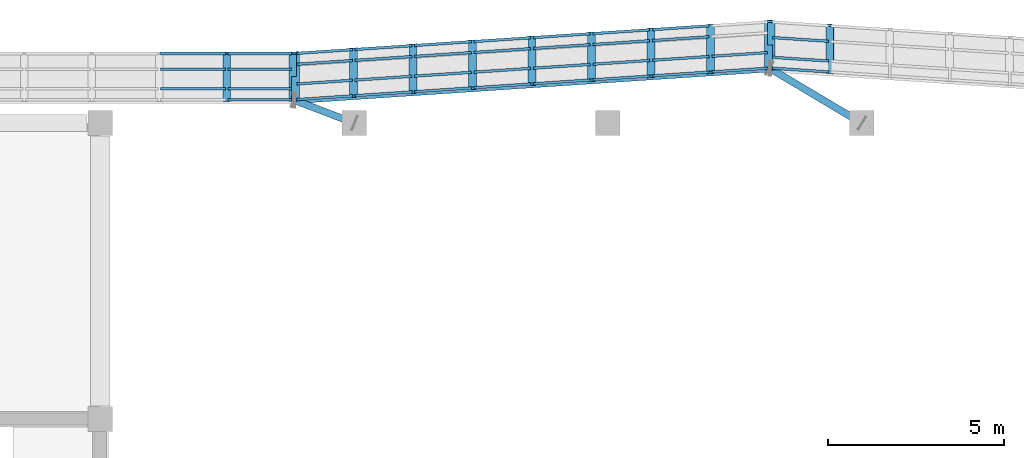
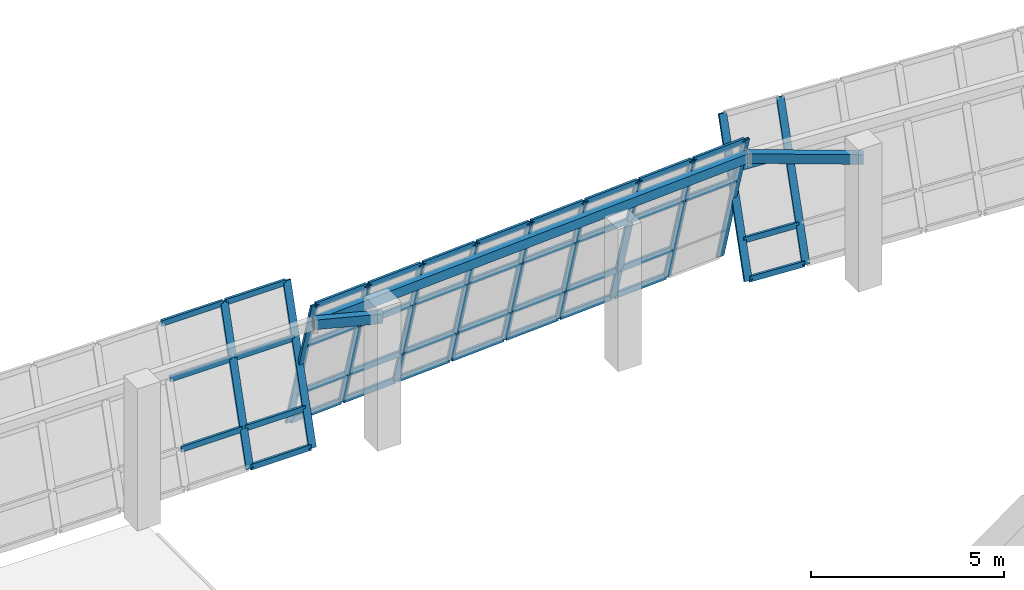
# One storey, part 30 of 67: 53 members, 3 beams, 3 elements without a shape of their own.
"""IFC4 building model written with IfcOpenShell, lengths in metres."""

from ifc_helpers import new_model, si_unit, direction, frame, origin, origin_2d, place, context, subcontext, project, spatial, hollow_rectangle, extrude, material, material_profile, profile_set, type_object, element, aggregate, save


model = new_model("IFC4")

# Units and contexts
model_context = context("Model", 3, precision=1e-05, world=origin(), true_north=direction((0.0, 1.0)))
body_context = subcontext(model_context, "Body", "Model", "MODEL_VIEW")
ifc_project = project(units=[si_unit("LENGTHUNIT", "METRE"), si_unit("AREAUNIT", "SQUARE_METRE"), si_unit("VOLUMEUNIT", "CUBIC_METRE"), si_unit("PLANEANGLEUNIT", "RADIAN"), si_unit("MASSUNIT", "GRAM", prefix="KILO")], contexts=[model_context])

# Site, building, storey
site_placement = place(None, origin())
site = spatial("IfcSite", under=ifc_project, at=site_placement, CompositionType="ELEMENT")
building_placement = place(site_placement, origin())
building = spatial("IfcBuilding", under=site, at=building_placement, Name="Pellamere Symphony Hall", CompositionType="ELEMENT")
storey_placement = place(building_placement, frame((0.0, 0.0, 19.5)))
storey = spatial("IfcBuildingStorey", under=building, at=storey_placement, Name="L04", CompositionType="ELEMENT", Elevation=19.5)

# Curtain wall, members
ifc_material_1 = material(Name="Thermally Broken Anodised Aluminium 6063-T6 Curtain Wall", Category="aluminium")
curtain_wall_type = type_object("IfcCurtainWallType", Name="Curtain Wall CW-01 (Tilted Faceted Crystal Low-Iron Curtain Wall)", PredefinedType="NOTDEFINED", material=ifc_material_1)
curtain_wall_1_placement = place(storey_placement, origin())
curtain_wall_1 = element("IfcCurtainWall", 1, at=curtain_wall_1_placement, inside=storey, type_object=curtain_wall_type, Name="Crystal Faceted Curtain Wall CW-CR12 (L04)", PredefinedType="NOTDEFINED")
ifc_material_2 = material(Name="Anodised Architectural Aluminium 6063-T6", Category="aluminium")
ifc_material_profile_1 = material_profile(ifc_material_2, hollow_rectangle(XDim=0.074951171875, YDim=0.219970703125, WallThickness=0.0048828125, at=origin_2d()), Name="ALU-M75X220X5")
ifc_profile_set_1 = profile_set([ifc_material_profile_1], Name="Anodised Architectural Aluminium 6063-T6")
member_type_1 = type_object("IfcMemberType", Name="Curtain Wall Mullion ML-01 ALU-M75X220X5", PredefinedType="MULLION", material=ifc_profile_set_1)
member_1_placement = place(storey_placement, frame((79.5, 95.03759765625, 0.0), z_axis=(0.0, 0.284024567884, 0.95881700279), x_axis=(0.066032040643, 0.956724387709, -0.283404685161)))
member_1 = element("IfcMember", 2, at=member_1_placement, type_object=member_type_1, Name="CW1-030 crystal mullion 8", PredefinedType="MULLION", context=body_context, shape_type="SweptSolid", body=[
    extrude(hollow_rectangle(XDim=0.074951171875, YDim=0.219970703125, WallThickness=0.0048828125, at=origin_2d()), origin(), (0.0, 0.0, 1.0), 4.693359375),
])
member_2_placement = place(storey_placement, frame((77.83740234375, 95.1474609375, 0.0), z_axis=(0.0, 0.284024567884, 0.95881700279), x_axis=(0.066032040643, 0.956724387709, -0.283404685161)))
member_2 = element("IfcMember", 3, at=member_2_placement, type_object=member_type_1, Name="CW1-030 crystal mullion 9", PredefinedType="MULLION", context=body_context, shape_type="SweptSolid", body=[
    extrude(hollow_rectangle(XDim=0.074951171875, YDim=0.219970703125, WallThickness=0.0048828125, at=origin_2d()), origin(), (0.0, 0.0, 1.0), 4.693359375),
])

curtain_wall_2_placement = place(storey_placement, origin())
curtain_wall_2 = element("IfcCurtainWall", 4, at=curtain_wall_2_placement, inside=storey, type_object=curtain_wall_type, Name="Crystal Faceted Curtain Wall CW-CR13 (L04)", PredefinedType="NOTDEFINED")
member_3_placement = place(storey_placement, frame((77.7626953125, 96.48046875, 0.0), z_axis=(0.0, -0.284024567884, 0.95881700279), x_axis=(0.066519010519, -0.956693374484, -0.283395498301)))
member_3 = element("IfcMember", 5, at=member_3_placement, type_object=member_type_1, Name="CW1-033 crystal mullion 1", PredefinedType="MULLION", context=body_context, shape_type="SweptSolid", body=[
    extrude(hollow_rectangle(XDim=0.074951171875, YDim=0.219970703125, WallThickness=0.0048828125, at=origin_2d()), origin(), (0.0, 0.0, 1.0), 4.693359375),
])
member_4_placement = place(storey_placement, frame((76.112548828125, 96.37060546875, 0.0), z_axis=(0.0, -0.284024567884, 0.95881700279), x_axis=(0.066519010519, -0.956693374484, -0.283395498301)))
member_4 = element("IfcMember", 6, at=member_4_placement, type_object=member_type_1, Name="CW1-033 crystal mullion 2", PredefinedType="MULLION", context=body_context, shape_type="SweptSolid", body=[
    extrude(hollow_rectangle(XDim=0.074951171875, YDim=0.219970703125, WallThickness=0.0048828125, at=origin_2d()), origin(), (0.0, 0.0, 1.0), 4.693359375),
])
member_5_placement = place(storey_placement, frame((74.425048828125, 96.258056640625, 0.0), z_axis=(0.0, -0.284024567884, 0.95881700279), x_axis=(0.066519010519, -0.956693374484, -0.283395498301)))
member_5 = element("IfcMember", 7, at=member_5_placement, type_object=member_type_1, Name="CW1-033 crystal mullion 3", PredefinedType="MULLION", context=body_context, shape_type="SweptSolid", body=[
    extrude(hollow_rectangle(XDim=0.074951171875, YDim=0.219970703125, WallThickness=0.0048828125, at=origin_2d()), origin(), (0.0, 0.0, 1.0), 4.693359375),
])
member_6_placement = place(storey_placement, frame((72.737548828125, 96.1455078125, 0.0), z_axis=(0.0, -0.284024567884, 0.95881700279), x_axis=(0.066519010519, -0.956693374484, -0.283395498301)))
member_6 = element("IfcMember", 8, at=member_6_placement, type_object=member_type_1, Name="CW1-033 crystal mullion 4", PredefinedType="MULLION", context=body_context, shape_type="SweptSolid", body=[
    extrude(hollow_rectangle(XDim=0.074951171875, YDim=0.219970703125, WallThickness=0.0048828125, at=origin_2d()), origin(), (0.0, 0.0, 1.0), 4.693359375),
])
member_7_placement = place(storey_placement, frame((71.050048828125, 96.032958984375, 0.0), z_axis=(0.0, -0.284024567884, 0.95881700279), x_axis=(0.066519010519, -0.956693374484, -0.283395498301)))
member_7 = element("IfcMember", 9, at=member_7_placement, type_object=member_type_1, Name="CW1-033 crystal mullion 5", PredefinedType="MULLION", context=body_context, shape_type="SweptSolid", body=[
    extrude(hollow_rectangle(XDim=0.074951171875, YDim=0.219970703125, WallThickness=0.0048828125, at=origin_2d()), origin(), (0.0, 0.0, 1.0), 4.693359375),
])
member_8_placement = place(storey_placement, frame((69.362548828125, 95.92041015625, 0.0), z_axis=(0.0, -0.284024567884, 0.95881700279), x_axis=(0.066519010519, -0.956693374484, -0.283395498301)))
member_8 = element("IfcMember", 10, at=member_8_placement, type_object=member_type_1, Name="CW1-033 crystal mullion 6", PredefinedType="MULLION", context=body_context, shape_type="SweptSolid", body=[
    extrude(hollow_rectangle(XDim=0.074951171875, YDim=0.219970703125, WallThickness=0.0048828125, at=origin_2d()), origin(), (0.0, 0.0, 1.0), 4.693359375),
])
member_9_placement = place(storey_placement, frame((67.675048828125, 95.80810546875, 0.0), z_axis=(0.0, -0.284024567884, 0.95881700279), x_axis=(0.066519010519, -0.956693374484, -0.283395498301)))
member_9 = element("IfcMember", 11, at=member_9_placement, type_object=member_type_1, Name="CW1-033 crystal mullion 7", PredefinedType="MULLION", context=body_context, shape_type="SweptSolid", body=[
    extrude(hollow_rectangle(XDim=0.074951171875, YDim=0.219970703125, WallThickness=0.0048828125, at=origin_2d()), origin(), (0.0, 0.0, 1.0), 4.693359375),
])
member_10_placement = place(storey_placement, frame((65.987548828125, 95.695556640625, 0.0), z_axis=(0.0, -0.284024567884, 0.95881700279), x_axis=(0.066519010519, -0.956693374484, -0.283395498301)))
member_10 = element("IfcMember", 12, at=member_10_placement, type_object=member_type_1, Name="CW1-033 crystal mullion 8", PredefinedType="MULLION", context=body_context, shape_type="SweptSolid", body=[
    extrude(hollow_rectangle(XDim=0.074951171875, YDim=0.219970703125, WallThickness=0.0048828125, at=origin_2d()), origin(), (0.0, 0.0, 1.0), 4.693359375),
])
member_11_placement = place(storey_placement, frame((64.33740234375, 95.58544921875, 0.0), z_axis=(0.0, -0.284024567884, 0.95881700279), x_axis=(0.066519010519, -0.956693374484, -0.283395498301)))
member_11 = element("IfcMember", 13, at=member_11_placement, type_object=member_type_1, Name="CW1-033 crystal mullion 9", PredefinedType="MULLION", context=body_context, shape_type="SweptSolid", body=[
    extrude(hollow_rectangle(XDim=0.074951171875, YDim=0.219970703125, WallThickness=0.0048828125, at=origin_2d()), origin(), (0.0, 0.0, 1.0), 4.693359375),
])

curtain_wall_3_placement = place(storey_placement, origin())
curtain_wall_3 = element("IfcCurtainWall", 14, at=curtain_wall_3_placement, inside=storey, type_object=curtain_wall_type, Name="Crystal Faceted Curtain Wall CW-CR14 (L04)", PredefinedType="NOTDEFINED")
member_12_placement = place(storey_placement, frame((64.262451171875, 94.25, 0.0), z_axis=(0.0, 0.284024567884, 0.95881700279), x_axis=(0.0, 0.95881700279, -0.284024567884)))
member_12 = element("IfcMember", 15, at=member_12_placement, type_object=member_type_1, Name="CW1-036 crystal mullion 1", PredefinedType="MULLION", context=body_context, shape_type="SweptSolid", body=[
    extrude(hollow_rectangle(XDim=0.074951171875, YDim=0.219970703125, WallThickness=0.0048828125, at=origin_2d()), origin(), (0.0, 0.0, 1.0), 4.693359375),
])
member_13_placement = place(storey_placement, frame((62.3857421875, 94.25, 0.0), z_axis=(0.0, 0.284024567884, 0.95881700279), x_axis=(0.0, 0.95881700279, -0.284024567884)))
member_13 = element("IfcMember", 16, at=member_13_placement, type_object=member_type_1, Name="CW1-036 crystal mullion 2", PredefinedType="MULLION", context=body_context, shape_type="SweptSolid", body=[
    extrude(hollow_rectangle(XDim=0.074951171875, YDim=0.219970703125, WallThickness=0.0048828125, at=origin_2d()), origin(), (0.0, 0.0, 1.0), 4.693359375),
])

# Member
ifc_material_profile_2 = material_profile(ifc_material_2, hollow_rectangle(XDim=0.074951171875, YDim=0.179931640625, WallThickness=0.0048828125, at=origin_2d()), Name="ALU-T75X180X5")
ifc_profile_set_2 = profile_set([ifc_material_profile_2], Name="Anodised Architectural Aluminium 6063-T6")
member_type_2 = type_object("IfcMemberType", Name="Curtain Wall Transom TR-01 ALU-T75X180X5", PredefinedType="USERDEFINED", material=ifc_profile_set_2)
member_14_placement = place(storey_placement, frame((79.462646484375, 95.050537109375, 0.035888671875), z_axis=(-0.997811553112, 0.06612189105, 0.0), x_axis=(-0.06612189105, -0.997811553112, 0.0)))
member_14 = element("IfcMember", 17, at=member_14_placement, type_object=member_type_2, Name="CW1-030 crystal transom 8.1", ObjectType="TRANSOM", PredefinedType="USERDEFINED", context=body_context, shape_type="SweptSolid", body=[
    extrude(hollow_rectangle(XDim=0.074951171875, YDim=0.179931640625, WallThickness=0.0048828125, at=origin_2d()), origin(), (0.0, 0.0, 1.0), 1.59130859375),
])

member_15_placement = place(storey_placement, frame((79.462646484375, 95.35986328125, 1.080078125), z_axis=(-0.997811553112, 0.06612189105, 0.0), x_axis=(-0.06612189105, -0.997811553112, 0.0)))
member_15 = element("IfcMember", 18, at=member_15_placement, type_object=member_type_2, Name="CW1-030 crystal transom 8.2", ObjectType="TRANSOM", PredefinedType="USERDEFINED", context=body_context, shape_type="SweptSolid", body=[
    extrude(hollow_rectangle(XDim=0.074951171875, YDim=0.179931640625, WallThickness=0.0048828125, at=origin_2d()), origin(), (0.0, 0.0, 1.0), 1.59130859375),
])

member_16_placement = place(storey_placement, frame((79.462646484375, 95.919677734375, 2.969970703125), z_axis=(-0.997811553112, 0.06612189105, 0.0), x_axis=(-0.06612189105, -0.997811553112, 0.0)))
member_16 = element("IfcMember", 19, at=member_16_placement, type_object=member_type_2, Name="CW1-030 crystal transom 8.3", ObjectType="TRANSOM", PredefinedType="USERDEFINED", context=body_context, shape_type="SweptSolid", body=[
    extrude(hollow_rectangle(XDim=0.074951171875, YDim=0.179931640625, WallThickness=0.0048828125, at=origin_2d()), origin(), (0.0, 0.0, 1.0), 1.59130859375),
])

aggregate(curtain_wall_1, [member_1, member_2, member_14, member_15, member_16])

member_17_placement = place(storey_placement, frame((77.72509765625, 95.59814453125, 2.969970703125), z_axis=(-0.997786526209, -0.066498482063, 0.0), x_axis=(0.066498482063, -0.997786526209, 0.0)))
member_17 = element("IfcMember", 20, at=member_17_placement, type_object=member_type_2, Name="CW1-033 crystal transom 1.3", ObjectType="TRANSOM", PredefinedType="USERDEFINED", context=body_context, shape_type="SweptSolid", body=[
    extrude(hollow_rectangle(XDim=0.074951171875, YDim=0.179931640625, WallThickness=0.0048828125, at=origin_2d()), origin(), (0.0, 0.0, 1.0), 1.57861328125),
])

member_18_placement = place(storey_placement, frame((77.72509765625, 95.15576171875, 4.464111328125), z_axis=(-0.997776253366, -0.06665244346, 0.0), x_axis=(0.06665244346, -0.997776253366, 0.0)))
member_18 = element("IfcMember", 21, at=member_18_placement, type_object=member_type_2, Name="CW1-033 crystal transom 1.4", ObjectType="TRANSOM", PredefinedType="USERDEFINED", context=body_context, shape_type="SweptSolid", body=[
    extrude(hollow_rectangle(XDim=0.074951171875, YDim=0.179931640625, WallThickness=0.0048828125, at=origin_2d()), origin(), (0.0, 0.0, 1.0), 1.57861328125),
])

member_19_placement = place(storey_placement, frame((76.0751953125, 96.357421875, 0.035888671875), z_axis=(-0.997779138857, -0.066609234065, 0.0), x_axis=(0.066609234065, -0.997779138857, 0.0)))
member_19 = element("IfcMember", 22, at=member_19_placement, type_object=member_type_2, Name="CW1-033 crystal transom 2.1", ObjectType="TRANSOM", PredefinedType="USERDEFINED", context=body_context, shape_type="SweptSolid", body=[
    extrude(hollow_rectangle(XDim=0.074951171875, YDim=0.179931640625, WallThickness=0.0048828125, at=origin_2d()), origin(), (0.0, 0.0, 1.0), 1.616455078125),
])

member_20_placement = place(storey_placement, frame((76.0751953125, 96.048095703125, 1.080078125), z_axis=(-0.997789166031, -0.066458860589, 0.0), x_axis=(0.066458860589, -0.997789166031, 0.0)))
member_20 = element("IfcMember", 23, at=member_20_placement, type_object=member_type_2, Name="CW1-033 crystal transom 2.2", ObjectType="TRANSOM", PredefinedType="USERDEFINED", context=body_context, shape_type="SweptSolid", body=[
    extrude(hollow_rectangle(XDim=0.074951171875, YDim=0.179931640625, WallThickness=0.0048828125, at=origin_2d()), origin(), (0.0, 0.0, 1.0), 1.616455078125),
])

member_21_placement = place(storey_placement, frame((76.0751953125, 95.48828125, 2.969970703125), z_axis=(-0.997779138857, -0.066609234065, 0.0), x_axis=(0.066609234065, -0.997779138857, 0.0)))
member_21 = element("IfcMember", 24, at=member_21_placement, type_object=member_type_2, Name="CW1-033 crystal transom 2.3", ObjectType="TRANSOM", PredefinedType="USERDEFINED", context=body_context, shape_type="SweptSolid", body=[
    extrude(hollow_rectangle(XDim=0.074951171875, YDim=0.179931640625, WallThickness=0.0048828125, at=origin_2d()), origin(), (0.0, 0.0, 1.0), 1.616455078125),
])

member_22_placement = place(storey_placement, frame((76.0751953125, 95.045654296875, 4.464111328125), z_axis=(-0.997789166031, -0.066458860589, 0.0), x_axis=(0.066458860589, -0.997789166031, 0.0)))
member_22 = element("IfcMember", 25, at=member_22_placement, type_object=member_type_2, Name="CW1-033 crystal transom 2.4", ObjectType="TRANSOM", PredefinedType="USERDEFINED", context=body_context, shape_type="SweptSolid", body=[
    extrude(hollow_rectangle(XDim=0.074951171875, YDim=0.179931640625, WallThickness=0.0048828125, at=origin_2d()), origin(), (0.0, 0.0, 1.0), 1.616455078125),
])

member_23_placement = place(storey_placement, frame((74.3876953125, 96.244873046875, 0.035888671875), z_axis=(-0.997789166031, -0.066458860589, 0.0), x_axis=(0.066458860589, -0.997789166031, 0.0)))
member_23 = element("IfcMember", 26, at=member_23_placement, type_object=member_type_2, Name="CW1-033 crystal transom 3.1", ObjectType="TRANSOM", PredefinedType="USERDEFINED", context=body_context, shape_type="SweptSolid", body=[
    extrude(hollow_rectangle(XDim=0.074951171875, YDim=0.179931640625, WallThickness=0.0048828125, at=origin_2d()), origin(), (0.0, 0.0, 1.0), 1.616455078125),
])

member_24_placement = place(storey_placement, frame((74.3876953125, 95.935546875, 1.080078125), z_axis=(-0.997789166031, -0.066458860589, 0.0), x_axis=(0.066458860589, -0.997789166031, 0.0)))
member_24 = element("IfcMember", 27, at=member_24_placement, type_object=member_type_2, Name="CW1-033 crystal transom 3.2", ObjectType="TRANSOM", PredefinedType="USERDEFINED", context=body_context, shape_type="SweptSolid", body=[
    extrude(hollow_rectangle(XDim=0.074951171875, YDim=0.179931640625, WallThickness=0.0048828125, at=origin_2d()), origin(), (0.0, 0.0, 1.0), 1.616455078125),
])

member_25_placement = place(storey_placement, frame((74.3876953125, 95.375732421875, 2.969970703125), z_axis=(-0.997789166031, -0.066458860589, 0.0), x_axis=(0.066458860589, -0.997789166031, 0.0)))
member_25 = element("IfcMember", 28, at=member_25_placement, type_object=member_type_2, Name="CW1-033 crystal transom 3.3", ObjectType="TRANSOM", PredefinedType="USERDEFINED", context=body_context, shape_type="SweptSolid", body=[
    extrude(hollow_rectangle(XDim=0.074951171875, YDim=0.179931640625, WallThickness=0.0048828125, at=origin_2d()), origin(), (0.0, 0.0, 1.0), 1.616455078125),
])

member_26_placement = place(storey_placement, frame((74.3876953125, 94.93310546875, 4.464111328125), z_axis=(-0.997789166031, -0.066458860589, 0.0), x_axis=(0.066458860589, -0.997789166031, 0.0)))
member_26 = element("IfcMember", 29, at=member_26_placement, type_object=member_type_2, Name="CW1-033 crystal transom 3.4", ObjectType="TRANSOM", PredefinedType="USERDEFINED", context=body_context, shape_type="SweptSolid", body=[
    extrude(hollow_rectangle(XDim=0.074951171875, YDim=0.179931640625, WallThickness=0.0048828125, at=origin_2d()), origin(), (0.0, 0.0, 1.0), 1.616455078125),
])

member_27_placement = place(storey_placement, frame((72.7001953125, 96.13232421875, 0.035888671875), z_axis=(-0.997789166031, -0.066458860589, 0.0), x_axis=(0.066458860589, -0.997789166031, 0.0)))
member_27 = element("IfcMember", 30, at=member_27_placement, type_object=member_type_2, Name="CW1-033 crystal transom 4.1", ObjectType="TRANSOM", PredefinedType="USERDEFINED", context=body_context, shape_type="SweptSolid", body=[
    extrude(hollow_rectangle(XDim=0.074951171875, YDim=0.179931640625, WallThickness=0.0048828125, at=origin_2d()), origin(), (0.0, 0.0, 1.0), 1.616455078125),
])

member_28_placement = place(storey_placement, frame((72.7001953125, 95.822998046875, 1.080078125), z_axis=(-0.997789166031, -0.066458860589, 0.0), x_axis=(0.066458860589, -0.997789166031, 0.0)))
member_28 = element("IfcMember", 31, at=member_28_placement, type_object=member_type_2, Name="CW1-033 crystal transom 4.2", ObjectType="TRANSOM", PredefinedType="USERDEFINED", context=body_context, shape_type="SweptSolid", body=[
    extrude(hollow_rectangle(XDim=0.074951171875, YDim=0.179931640625, WallThickness=0.0048828125, at=origin_2d()), origin(), (0.0, 0.0, 1.0), 1.616455078125),
])

member_29_placement = place(storey_placement, frame((72.7001953125, 95.26318359375, 2.969970703125), z_axis=(-0.997789166031, -0.066458860589, 0.0), x_axis=(0.066458860589, -0.997789166031, 0.0)))
member_29 = element("IfcMember", 32, at=member_29_placement, type_object=member_type_2, Name="CW1-033 crystal transom 4.3", ObjectType="TRANSOM", PredefinedType="USERDEFINED", context=body_context, shape_type="SweptSolid", body=[
    extrude(hollow_rectangle(XDim=0.074951171875, YDim=0.179931640625, WallThickness=0.0048828125, at=origin_2d()), origin(), (0.0, 0.0, 1.0), 1.616455078125),
])

member_30_placement = place(storey_placement, frame((72.7001953125, 94.820556640625, 4.464111328125), z_axis=(-0.997789166031, -0.066458860589, 0.0), x_axis=(0.066458860589, -0.997789166031, 0.0)))
member_30 = element("IfcMember", 33, at=member_30_placement, type_object=member_type_2, Name="CW1-033 crystal transom 4.4", ObjectType="TRANSOM", PredefinedType="USERDEFINED", context=body_context, shape_type="SweptSolid", body=[
    extrude(hollow_rectangle(XDim=0.074951171875, YDim=0.179931640625, WallThickness=0.0048828125, at=origin_2d()), origin(), (0.0, 0.0, 1.0), 1.616455078125),
])

member_31_placement = place(storey_placement, frame((71.0126953125, 96.019775390625, 0.035888671875), z_axis=(-0.997789166031, -0.066458860589, 0.0), x_axis=(0.066458860589, -0.997789166031, 0.0)))
member_31 = element("IfcMember", 34, at=member_31_placement, type_object=member_type_2, Name="CW1-033 crystal transom 5.1", ObjectType="TRANSOM", PredefinedType="USERDEFINED", context=body_context, shape_type="SweptSolid", body=[
    extrude(hollow_rectangle(XDim=0.074951171875, YDim=0.179931640625, WallThickness=0.0048828125, at=origin_2d()), origin(), (0.0, 0.0, 1.0), 1.616455078125),
])

member_32_placement = place(storey_placement, frame((71.0126953125, 95.710693359375, 1.080078125), z_axis=(-0.997779138857, -0.066609234065, 0.0), x_axis=(0.066609234065, -0.997779138857, 0.0)))
member_32 = element("IfcMember", 35, at=member_32_placement, type_object=member_type_2, Name="CW1-033 crystal transom 5.2", ObjectType="TRANSOM", PredefinedType="USERDEFINED", context=body_context, shape_type="SweptSolid", body=[
    extrude(hollow_rectangle(XDim=0.074951171875, YDim=0.179931640625, WallThickness=0.0048828125, at=origin_2d()), origin(), (0.0, 0.0, 1.0), 1.616455078125),
])

member_33_placement = place(storey_placement, frame((71.0126953125, 95.150634765625, 2.969970703125), z_axis=(-0.997789166031, -0.066458860589, 0.0), x_axis=(0.066458860589, -0.997789166031, 0.0)))
member_33 = element("IfcMember", 36, at=member_33_placement, type_object=member_type_2, Name="CW1-033 crystal transom 5.3", ObjectType="TRANSOM", PredefinedType="USERDEFINED", context=body_context, shape_type="SweptSolid", body=[
    extrude(hollow_rectangle(XDim=0.074951171875, YDim=0.179931640625, WallThickness=0.0048828125, at=origin_2d()), origin(), (0.0, 0.0, 1.0), 1.616455078125),
])

member_34_placement = place(storey_placement, frame((71.0126953125, 94.708251953125, 4.464111328125), z_axis=(-0.997779138857, -0.066609234065, 0.0), x_axis=(0.066609234065, -0.997779138857, 0.0)))
member_34 = element("IfcMember", 37, at=member_34_placement, type_object=member_type_2, Name="CW1-033 crystal transom 5.4", ObjectType="TRANSOM", PredefinedType="USERDEFINED", context=body_context, shape_type="SweptSolid", body=[
    extrude(hollow_rectangle(XDim=0.074951171875, YDim=0.179931640625, WallThickness=0.0048828125, at=origin_2d()), origin(), (0.0, 0.0, 1.0), 1.616455078125),
])

member_35_placement = place(storey_placement, frame((69.3251953125, 95.907470703125, 0.035888671875), z_axis=(-0.997779138857, -0.066609234065, 0.0), x_axis=(0.066609234065, -0.997779138857, 0.0)))
member_35 = element("IfcMember", 38, at=member_35_placement, type_object=member_type_2, Name="CW1-033 crystal transom 6.1", ObjectType="TRANSOM", PredefinedType="USERDEFINED", context=body_context, shape_type="SweptSolid", body=[
    extrude(hollow_rectangle(XDim=0.074951171875, YDim=0.179931640625, WallThickness=0.0048828125, at=origin_2d()), origin(), (0.0, 0.0, 1.0), 1.616455078125),
])

member_36_placement = place(storey_placement, frame((69.3251953125, 95.59814453125, 1.080078125), z_axis=(-0.997779138857, -0.066609234065, 0.0), x_axis=(0.066609234065, -0.997779138857, 0.0)))
member_36 = element("IfcMember", 39, at=member_36_placement, type_object=member_type_2, Name="CW1-033 crystal transom 6.2", ObjectType="TRANSOM", PredefinedType="USERDEFINED", context=body_context, shape_type="SweptSolid", body=[
    extrude(hollow_rectangle(XDim=0.074951171875, YDim=0.179931640625, WallThickness=0.0048828125, at=origin_2d()), origin(), (0.0, 0.0, 1.0), 1.616455078125),
])

member_37_placement = place(storey_placement, frame((69.3251953125, 95.038330078125, 2.969970703125), z_axis=(-0.997779138857, -0.066609234065, 0.0), x_axis=(0.066609234065, -0.997779138857, 0.0)))
member_37 = element("IfcMember", 40, at=member_37_placement, type_object=member_type_2, Name="CW1-033 crystal transom 6.3", ObjectType="TRANSOM", PredefinedType="USERDEFINED", context=body_context, shape_type="SweptSolid", body=[
    extrude(hollow_rectangle(XDim=0.074951171875, YDim=0.179931640625, WallThickness=0.0048828125, at=origin_2d()), origin(), (0.0, 0.0, 1.0), 1.616455078125),
])

member_38_placement = place(storey_placement, frame((69.3251953125, 94.595703125, 4.464111328125), z_axis=(-0.997779138857, -0.066609234065, 0.0), x_axis=(0.066609234065, -0.997779138857, 0.0)))
member_38 = element("IfcMember", 41, at=member_38_placement, type_object=member_type_2, Name="CW1-033 crystal transom 6.4", ObjectType="TRANSOM", PredefinedType="USERDEFINED", context=body_context, shape_type="SweptSolid", body=[
    extrude(hollow_rectangle(XDim=0.074951171875, YDim=0.179931640625, WallThickness=0.0048828125, at=origin_2d()), origin(), (0.0, 0.0, 1.0), 1.616455078125),
])

member_39_placement = place(storey_placement, frame((67.6376953125, 95.794921875, 0.035888671875), z_axis=(-0.997779138857, -0.066609234065, 0.0), x_axis=(0.066609234065, -0.997779138857, 0.0)))
member_39 = element("IfcMember", 42, at=member_39_placement, type_object=member_type_2, Name="CW1-033 crystal transom 7.1", ObjectType="TRANSOM", PredefinedType="USERDEFINED", context=body_context, shape_type="SweptSolid", body=[
    extrude(hollow_rectangle(XDim=0.074951171875, YDim=0.179931640625, WallThickness=0.0048828125, at=origin_2d()), origin(), (0.0, 0.0, 1.0), 1.616455078125),
])

member_40_placement = place(storey_placement, frame((67.6376953125, 95.485595703125, 1.080078125), z_axis=(-0.997789166031, -0.066458860589, 0.0), x_axis=(0.066458860589, -0.997789166031, 0.0)))
member_40 = element("IfcMember", 43, at=member_40_placement, type_object=member_type_2, Name="CW1-033 crystal transom 7.2", ObjectType="TRANSOM", PredefinedType="USERDEFINED", context=body_context, shape_type="SweptSolid", body=[
    extrude(hollow_rectangle(XDim=0.074951171875, YDim=0.179931640625, WallThickness=0.0048828125, at=origin_2d()), origin(), (0.0, 0.0, 1.0), 1.616455078125),
])

member_41_placement = place(storey_placement, frame((67.6376953125, 94.92578125, 2.969970703125), z_axis=(-0.997779138857, -0.066609234065, 0.0), x_axis=(0.066609234065, -0.997779138857, 0.0)))
member_41 = element("IfcMember", 44, at=member_41_placement, type_object=member_type_2, Name="CW1-033 crystal transom 7.3", ObjectType="TRANSOM", PredefinedType="USERDEFINED", context=body_context, shape_type="SweptSolid", body=[
    extrude(hollow_rectangle(XDim=0.074951171875, YDim=0.179931640625, WallThickness=0.0048828125, at=origin_2d()), origin(), (0.0, 0.0, 1.0), 1.616455078125),
])

member_42_placement = place(storey_placement, frame((67.6376953125, 94.483154296875, 4.464111328125), z_axis=(-0.997789166031, -0.066458860589, 0.0), x_axis=(0.066458860589, -0.997789166031, 0.0)))
member_42 = element("IfcMember", 45, at=member_42_placement, type_object=member_type_2, Name="CW1-033 crystal transom 7.4", ObjectType="TRANSOM", PredefinedType="USERDEFINED", context=body_context, shape_type="SweptSolid", body=[
    extrude(hollow_rectangle(XDim=0.074951171875, YDim=0.179931640625, WallThickness=0.0048828125, at=origin_2d()), origin(), (0.0, 0.0, 1.0), 1.616455078125),
])

member_43_placement = place(storey_placement, frame((65.9501953125, 95.682373046875, 0.035888671875), z_axis=(-0.99778720991, -0.066488222573, 0.0), x_axis=(0.066488222573, -0.99778720991, 0.0)))
member_43 = element("IfcMember", 46, at=member_43_placement, type_object=member_type_2, Name="CW1-033 crystal transom 8.1", ObjectType="TRANSOM", PredefinedType="USERDEFINED", context=body_context, shape_type="SweptSolid", body=[
    extrude(hollow_rectangle(XDim=0.074951171875, YDim=0.179931640625, WallThickness=0.0048828125, at=origin_2d()), origin(), (0.0, 0.0, 1.0), 1.578857421875),
])

member_44_placement = place(storey_placement, frame((65.9501953125, 95.373046875, 1.080078125), z_axis=(-0.99778720991, -0.066488222573, 0.0), x_axis=(0.066488222573, -0.99778720991, 0.0)))
member_44 = element("IfcMember", 47, at=member_44_placement, type_object=member_type_2, Name="CW1-033 crystal transom 8.2", ObjectType="TRANSOM", PredefinedType="USERDEFINED", context=body_context, shape_type="SweptSolid", body=[
    extrude(hollow_rectangle(XDim=0.074951171875, YDim=0.179931640625, WallThickness=0.0048828125, at=origin_2d()), origin(), (0.0, 0.0, 1.0), 1.578857421875),
])

member_45_placement = place(storey_placement, frame((65.9501953125, 94.813232421875, 2.969970703125), z_axis=(-0.99778720991, -0.066488222573, 0.0), x_axis=(0.066488222573, -0.99778720991, 0.0)))
member_45 = element("IfcMember", 48, at=member_45_placement, type_object=member_type_2, Name="CW1-033 crystal transom 8.3", ObjectType="TRANSOM", PredefinedType="USERDEFINED", context=body_context, shape_type="SweptSolid", body=[
    extrude(hollow_rectangle(XDim=0.074951171875, YDim=0.179931640625, WallThickness=0.0048828125, at=origin_2d()), origin(), (0.0, 0.0, 1.0), 1.578857421875),
])

member_46_placement = place(storey_placement, frame((65.9501953125, 94.37060546875, 4.464111328125), z_axis=(-0.99778720991, -0.066488222573, 0.0), x_axis=(0.066488222573, -0.99778720991, 0.0)))
member_46 = element("IfcMember", 49, at=member_46_placement, type_object=member_type_2, Name="CW1-033 crystal transom 8.4", ObjectType="TRANSOM", PredefinedType="USERDEFINED", context=body_context, shape_type="SweptSolid", body=[
    extrude(hollow_rectangle(XDim=0.074951171875, YDim=0.179931640625, WallThickness=0.0048828125, at=origin_2d()), origin(), (0.0, 0.0, 1.0), 1.578857421875),
])

aggregate(curtain_wall_2, [member_3, member_4, member_5, member_6, member_7, member_8, member_9, member_10, member_11, member_17, member_18, member_19, member_20, member_21, member_22, member_23, member_24, member_25, member_26, member_27, member_28, member_29, member_30, member_31, member_32, member_33, member_34, member_35, member_36, member_37, member_38, member_39, member_40, member_41, member_42, member_43, member_44, member_45, member_46])

member_47_placement = place(storey_placement, frame((64.22509765625, 94.2607421875, 0.035888671875), z_axis=(-1.0, 0.0, 0.0), x_axis=(0.0, -1.0, 0.0)))
member_47 = element("IfcMember", 50, at=member_47_placement, type_object=member_type_2, Name="CW1-036 crystal transom 1.1", ObjectType="TRANSOM", PredefinedType="USERDEFINED", context=body_context, shape_type="SweptSolid", body=[
    extrude(hollow_rectangle(XDim=0.074951171875, YDim=0.179931640625, WallThickness=0.0048828125, at=origin_2d()), origin(), (0.0, 0.0, 1.0), 1.802001953125),
])

member_48_placement = place(storey_placement, frame((64.22509765625, 94.56982421875, 1.080078125), z_axis=(-1.0, 0.0, 0.0), x_axis=(0.0, -1.0, 0.0)))
member_48 = element("IfcMember", 51, at=member_48_placement, type_object=member_type_2, Name="CW1-036 crystal transom 1.2", ObjectType="TRANSOM", PredefinedType="USERDEFINED", context=body_context, shape_type="SweptSolid", body=[
    extrude(hollow_rectangle(XDim=0.074951171875, YDim=0.179931640625, WallThickness=0.0048828125, at=origin_2d()), origin(), (0.0, 0.0, 1.0), 1.802001953125),
])

member_49_placement = place(storey_placement, frame((64.22509765625, 95.1298828125, 2.969970703125), z_axis=(-1.0, 0.0, 0.0), x_axis=(0.0, -1.0, 0.0)))
member_49 = element("IfcMember", 52, at=member_49_placement, type_object=member_type_2, Name="CW1-036 crystal transom 1.3", ObjectType="TRANSOM", PredefinedType="USERDEFINED", context=body_context, shape_type="SweptSolid", body=[
    extrude(hollow_rectangle(XDim=0.074951171875, YDim=0.179931640625, WallThickness=0.0048828125, at=origin_2d()), origin(), (0.0, 0.0, 1.0), 1.802001953125),
])

member_50_placement = place(storey_placement, frame((64.22509765625, 95.572265625, 4.464111328125), z_axis=(-1.0, 0.0, 0.0), x_axis=(0.0, -1.0, 0.0)))
member_50 = element("IfcMember", 53, at=member_50_placement, type_object=member_type_2, Name="CW1-036 crystal transom 1.4", ObjectType="TRANSOM", PredefinedType="USERDEFINED", context=body_context, shape_type="SweptSolid", body=[
    extrude(hollow_rectangle(XDim=0.074951171875, YDim=0.179931640625, WallThickness=0.0048828125, at=origin_2d()), origin(), (0.0, 0.0, 1.0), 1.802001953125),
])

member_51_placement = place(storey_placement, frame((62.34814453125, 94.56982421875, 1.080078125), z_axis=(-1.0, 0.0, 0.0), x_axis=(0.0, -1.0, 0.0)))
member_51 = element("IfcMember", 54, at=member_51_placement, type_object=member_type_2, Name="CW1-036 crystal transom 2.2", ObjectType="TRANSOM", PredefinedType="USERDEFINED", context=body_context, shape_type="SweptSolid", body=[
    extrude(hollow_rectangle(XDim=0.074951171875, YDim=0.179931640625, WallThickness=0.0048828125, at=origin_2d()), origin(), (0.0, 0.0, 1.0), 1.839111328125),
])

member_52_placement = place(storey_placement, frame((62.34814453125, 95.1298828125, 2.969970703125), z_axis=(-1.0, 0.0, 0.0), x_axis=(0.0, -1.0, 0.0)))
member_52 = element("IfcMember", 55, at=member_52_placement, type_object=member_type_2, Name="CW1-036 crystal transom 2.3", ObjectType="TRANSOM", PredefinedType="USERDEFINED", context=body_context, shape_type="SweptSolid", body=[
    extrude(hollow_rectangle(XDim=0.074951171875, YDim=0.179931640625, WallThickness=0.0048828125, at=origin_2d()), origin(), (0.0, 0.0, 1.0), 1.839111328125),
])

member_53_placement = place(storey_placement, frame((62.34814453125, 95.572265625, 4.464111328125), z_axis=(-1.0, 0.0, 0.0), x_axis=(0.0, -1.0, 0.0)))
member_53 = element("IfcMember", 56, at=member_53_placement, type_object=member_type_2, Name="CW1-036 crystal transom 2.4", ObjectType="TRANSOM", PredefinedType="USERDEFINED", context=body_context, shape_type="SweptSolid", body=[
    extrude(hollow_rectangle(XDim=0.074951171875, YDim=0.179931640625, WallThickness=0.0048828125, at=origin_2d()), origin(), (0.0, 0.0, 1.0), 1.839111328125),
])

aggregate(curtain_wall_3, [member_12, member_13, member_47, member_48, member_49, member_50, member_51, member_52, member_53])

# Beams
ifc_material_3 = material(Name="Steel CSA G40.21 350W", Category="steel")
ifc_material_profile_3 = material_profile(ifc_material_3, hollow_rectangle(XDim=0.203125, YDim=0.3046875, WallThickness=0.0126953125, at=origin_2d()), Name="HSS305X203X13")
ifc_profile_set_3 = profile_set([ifc_material_profile_3], Name="Steel CSA G40.21 350W")
beam_type = type_object("IfcBeamType", Name="Steel Spandrel SB-26 HSS305X203X13", PredefinedType="SPANDREL", material=ifc_profile_set_3)
beam_1_placement = place(storey_placement, frame((80.39990234375, 93.60009765625, 3.93994140625), z_axis=(-0.858962665903, 0.512038219847, 0.0), x_axis=(-0.512038219847, -0.858962665903, 0.0)))
element("IfcBeam", 57, at=beam_1_placement, inside=storey, type_object=beam_type, Name="Crystal Ring Outrigger Bracket 068 (L04)", PredefinedType="SPANDREL", context=body_context, shape_type="SweptSolid", body=[
    extrude(hollow_rectangle(XDim=0.203125, YDim=0.3046875, WallThickness=0.0126953125, at=origin_2d()), origin(), (0.0, 0.0, 1.0), 3.02685546875),
])
beam_2_placement = place(storey_placement, frame((77.800048828125, 95.14990234375, 3.93994140625), z_axis=(-0.997785636887, -0.066511824681, 0.0), x_axis=(0.066511824681, -0.997785636887, 0.0)))
element("IfcBeam", 58, at=beam_2_placement, inside=storey, type_object=beam_type, Name="Crystal Perimeter Ring Beam CW-CR13 (L04)", PredefinedType="SPANDREL", context=body_context, shape_type="SweptSolid", body=[
    extrude(hollow_rectangle(XDim=0.203125, YDim=0.3046875, WallThickness=0.0126953125, at=origin_2d()), origin(), (0.0, 0.0, 1.0), 13.530029296875),
])
beam_3_placement = place(storey_placement, frame((66.0, 93.60009765625, 3.93994140625), z_axis=(-0.934066311847, 0.357099601054, 0.0), x_axis=(-0.357099601054, -0.934066311847, 0.0)))
element("IfcBeam", 59, at=beam_3_placement, inside=storey, type_object=beam_type, Name="Crystal Ring Outrigger Bracket 074 (L04)", PredefinedType="SPANDREL", context=body_context, shape_type="SweptSolid", body=[
    extrude(hollow_rectangle(XDim=0.203125, YDim=0.3046875, WallThickness=0.0126953125, at=origin_2d()), origin(), (0.0, 0.0, 1.0), 1.820068359375),
])

save(model, "model.ifc")
